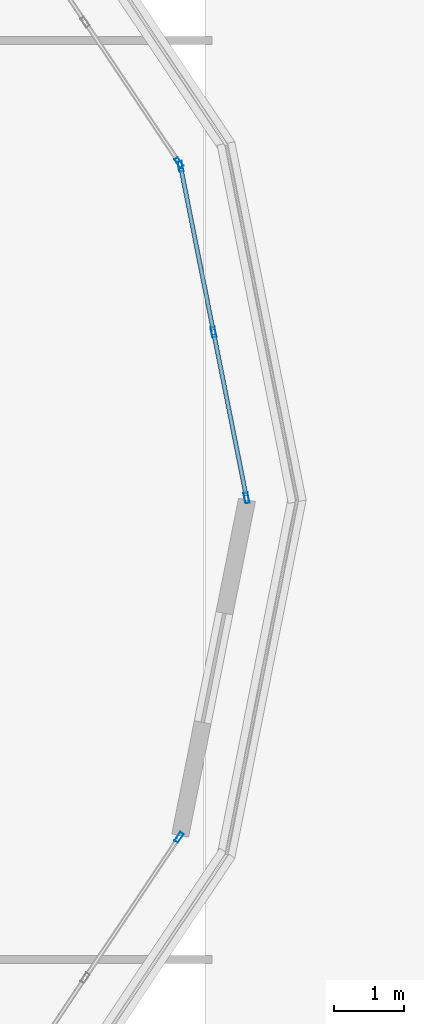
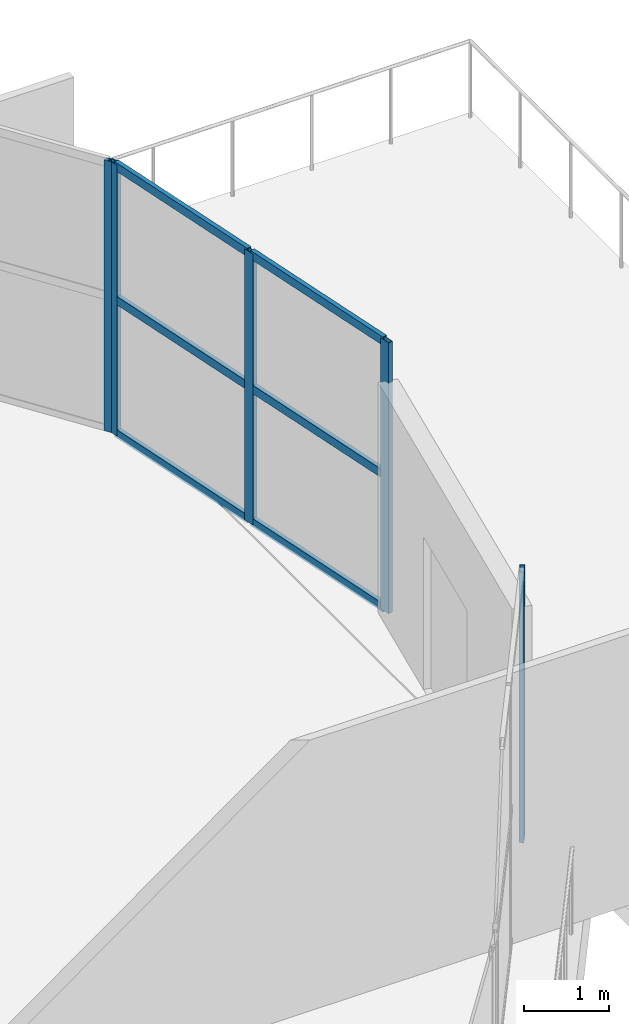
# One storey, part 30 of 50: 11 members, 3 elements without a shape of their own.
"""IFC4 building model written with IfcOpenShell, lengths in metres."""

from ifc_helpers import new_model, si_unit, direction, frame, origin, origin_2d, place, context, subcontext, project, spatial, hollow_rectangle, extrude, material, layer, layer_set, material_profile, profile_set, type_object, element, aggregate, save


model = new_model("IFC4")

# Units and contexts
model_context = context("Model", 3, precision=1e-05, world=origin(), true_north=direction((0.0, 1.0)))
body_context = subcontext(model_context, "Body", "Model", "MODEL_VIEW")
ifc_project = project(units=[si_unit("LENGTHUNIT", "METRE"), si_unit("AREAUNIT", "SQUARE_METRE"), si_unit("VOLUMEUNIT", "CUBIC_METRE"), si_unit("PLANEANGLEUNIT", "RADIAN"), si_unit("MASSUNIT", "GRAM", prefix="KILO")], contexts=[model_context])

# Site, building, storey
site_placement = place(None, origin())
site = spatial("IfcSite", under=ifc_project, at=site_placement, CompositionType="ELEMENT")
building_placement = place(site_placement, origin())
building = spatial("IfcBuilding", under=site, at=building_placement, Name="Zizhar Promenade General Hospital", CompositionType="ELEMENT")
storey_placement = place(building_placement, frame((0.0, 0.0, 30.60009765625)))
storey = spatial("IfcBuildingStorey", under=building, at=storey_placement, Name="L07", CompositionType="ELEMENT", Elevation=30.60009765625)

# Curtain wall, member
ifc_material_1 = material(Name="Anodised aluminium 6063-T6 and low-E glass", Category="aluminium")
ifc_layer = layer(ifc_material_1, 0.159912109375)
ifc_layer_set = layer_set([ifc_layer], Name="Anodised aluminium 6063-T6 and low-E glass")
curtain_wall_type = type_object("IfcCurtainWallType", Name="CW-WARD-ARC", PredefinedType="NOTDEFINED", material=ifc_layer_set)
curtain_wall_1_placement = place(storey_placement, origin())
curtain_wall_1 = element("IfcCurtainWall", 1, at=curtain_wall_1_placement, inside=storey, type_object=curtain_wall_type, Name="Ward Semicircular End Glazing L07-03", PredefinedType="NOTDEFINED")
ifc_material_2 = material(Name="Anodised aluminium 6063-T6", Category="aluminium")
ifc_material_profile_1 = material_profile(ifc_material_2, hollow_rectangle(XDim=0.06005859375, YDim=0.14990234375, WallThickness=0.00390625, at=origin_2d()))
ifc_profile_set_1 = profile_set([ifc_material_profile_1], Name="Anodised aluminium 6063-T6")
member_type_1 = type_object("IfcMemberType", Name="CWM-ALU-150x60", PredefinedType="MULLION", material=ifc_profile_set_1)
member_1_placement = place(storey_placement, frame((118.82421875, 7.753173828125, 0.0), z_axis=(0.0, 0.0, 1.0), x_axis=(0.831461514468, -0.555582352095, 0.0)))
member_1 = element("IfcMember", 2, at=member_1_placement, type_object=member_type_1, Name="CW-12 mullion 1", PredefinedType="MULLION", context=body_context, shape_type="SweptSolid", body=[
    extrude(hollow_rectangle(XDim=0.06005859375, YDim=0.14990234375, WallThickness=0.00390625, at=origin_2d()), origin(), (0.0, 0.0, 1.0), 3.89990234375),
])
aggregate(curtain_wall_1, [member_1])

# Curtain wall, members
curtain_wall_2_placement = place(storey_placement, origin())
curtain_wall_2 = element("IfcCurtainWall", 3, at=curtain_wall_2_placement, inside=storey, type_object=curtain_wall_type, Name="Ward Semicircular End Glazing L07-05", PredefinedType="NOTDEFINED")
member_2_placement = place(storey_placement, frame((118.8466796875, 17.392333984375, 0.0), z_axis=(0.0, 0.0, 1.0), x_axis=(0.980785889615, 0.195087259275, 0.0)))
member_2 = element("IfcMember", 4, at=member_2_placement, type_object=member_type_1, Name="CW-12 mullion 1", PredefinedType="MULLION", context=body_context, shape_type="SweptSolid", body=[
    extrude(hollow_rectangle(XDim=0.06005859375, YDim=0.14990234375, WallThickness=0.00390625, at=origin_2d()), origin(), (0.0, 0.0, 1.0), 3.89990234375),
])
member_3_placement = place(storey_placement, frame((119.320556640625, 15.010986328125, 0.0), z_axis=(0.0, 0.0, 1.0), x_axis=(0.980785889615, 0.195087259275, 0.0)))
member_3 = element("IfcMember", 5, at=member_3_placement, type_object=member_type_1, Name="CW-12 mullion 2", PredefinedType="MULLION", context=body_context, shape_type="SweptSolid", body=[
    extrude(hollow_rectangle(XDim=0.06005859375, YDim=0.14990234375, WallThickness=0.00390625, at=origin_2d()), origin(), (0.0, 0.0, 1.0), 3.89990234375),
])
member_4_placement = place(storey_placement, frame((119.794189453125, 12.62939453125, 0.0), z_axis=(0.0, 0.0, 1.0), x_axis=(0.980785889615, 0.195087259275, 0.0)))
member_4 = element("IfcMember", 6, at=member_4_placement, type_object=member_type_1, Name="CW-12 mullion 3", PredefinedType="MULLION", context=body_context, shape_type="SweptSolid", body=[
    extrude(hollow_rectangle(XDim=0.06005859375, YDim=0.14990234375, WallThickness=0.00390625, at=origin_2d()), origin(), (0.0, 0.0, 1.0), 3.89990234375),
])

# Curtain wall, member
curtain_wall_3_placement = place(storey_placement, origin())
curtain_wall_3 = element("IfcCurtainWall", 7, at=curtain_wall_3_placement, inside=storey, type_object=curtain_wall_type, Name="Ward Semicircular End Glazing L07-06", PredefinedType="NOTDEFINED")
member_5_placement = place(storey_placement, frame((118.82421875, 17.44677734375, 0.0), z_axis=(0.0, 0.0, 1.0), x_axis=(0.831461514468, 0.555582352095, 0.0)))
member_5 = element("IfcMember", 8, at=member_5_placement, type_object=member_type_1, Name="CW-12 mullion 3", PredefinedType="MULLION", context=body_context, shape_type="SweptSolid", body=[
    extrude(hollow_rectangle(XDim=0.06005859375, YDim=0.14990234375, WallThickness=0.00390625, at=origin_2d()), origin(), (0.0, 0.0, 1.0), 3.89990234375),
])
aggregate(curtain_wall_3, [member_5])

# Member
ifc_material_3 = material(Name="Anodised aluminium 6063-T6", Category="aluminium")
ifc_material_profile_2 = material_profile(ifc_material_3, hollow_rectangle(XDim=0.06005859375, YDim=0.1201171875, WallThickness=0.00390625, at=origin_2d()))
ifc_profile_set_2 = profile_set([ifc_material_profile_2], Name="Anodised aluminium 6063-T6")
member_type_2 = type_object("IfcMemberType", Name="CWT-ALU-120x60", PredefinedType="USERDEFINED", material=ifc_profile_set_2)
member_6_placement = place(storey_placement, frame((118.8525390625, 17.363037109375, 0.02978515625), z_axis=(0.195144637465, -0.980774474825, 0.0), x_axis=(0.980774474825, 0.195144637465, 0.0)))
member_6 = element("IfcMember", 9, at=member_6_placement, type_object=member_type_2, Name="CW-12 transom 1.1", ObjectType="TRANSOM", PredefinedType="USERDEFINED", context=body_context, shape_type="SweptSolid", body=[
    extrude(hollow_rectangle(XDim=0.06005859375, YDim=0.1201171875, WallThickness=0.00390625, at=origin_2d()), origin(), (0.0, 0.0, 1.0), 2.3681640625),
])

member_7_placement = place(storey_placement, frame((118.8525390625, 17.363037109375, 1.949951171875), z_axis=(0.195144637465, -0.980774474825, 0.0), x_axis=(0.980774474825, 0.195144637465, 0.0)))
member_7 = element("IfcMember", 10, at=member_7_placement, type_object=member_type_2, Name="CW-12 transom 1.2", ObjectType="TRANSOM", PredefinedType="USERDEFINED", context=body_context, shape_type="SweptSolid", body=[
    extrude(hollow_rectangle(XDim=0.06005859375, YDim=0.1201171875, WallThickness=0.00390625, at=origin_2d()), origin(), (0.0, 0.0, 1.0), 2.3681640625),
])

member_8_placement = place(storey_placement, frame((118.8525390625, 17.363037109375, 3.869873046875), z_axis=(0.195144637465, -0.980774474825, 0.0), x_axis=(0.980774474825, 0.195144637465, 0.0)))
member_8 = element("IfcMember", 11, at=member_8_placement, type_object=member_type_2, Name="CW-12 transom 1.3", ObjectType="TRANSOM", PredefinedType="USERDEFINED", context=body_context, shape_type="SweptSolid", body=[
    extrude(hollow_rectangle(XDim=0.06005859375, YDim=0.1201171875, WallThickness=0.00390625, at=origin_2d()), origin(), (0.0, 0.0, 1.0), 2.3681640625),
])

member_9_placement = place(storey_placement, frame((119.326416015625, 14.9814453125, 0.02978515625), z_axis=(0.195065195628, -0.980790278018, 0.0), x_axis=(0.980790278018, 0.195065195628, 0.0)))
member_9 = element("IfcMember", 12, at=member_9_placement, type_object=member_type_2, Name="CW-12 transom 2.1", ObjectType="TRANSOM", PredefinedType="USERDEFINED", context=body_context, shape_type="SweptSolid", body=[
    extrude(hollow_rectangle(XDim=0.06005859375, YDim=0.1201171875, WallThickness=0.00390625, at=origin_2d()), origin(), (0.0, 0.0, 1.0), 2.367919921875),
])

member_10_placement = place(storey_placement, frame((119.326416015625, 14.9814453125, 1.949951171875), z_axis=(0.195065195628, -0.980790278018, 0.0), x_axis=(0.980790278018, 0.195065195628, 0.0)))
member_10 = element("IfcMember", 13, at=member_10_placement, type_object=member_type_2, Name="CW-12 transom 2.2", ObjectType="TRANSOM", PredefinedType="USERDEFINED", context=body_context, shape_type="SweptSolid", body=[
    extrude(hollow_rectangle(XDim=0.06005859375, YDim=0.1201171875, WallThickness=0.00390625, at=origin_2d()), origin(), (0.0, 0.0, 1.0), 2.367919921875),
])

member_11_placement = place(storey_placement, frame((119.326416015625, 14.9814453125, 3.869873046875), z_axis=(0.195065195628, -0.980790278018, 0.0), x_axis=(0.980790278018, 0.195065195628, 0.0)))
member_11 = element("IfcMember", 14, at=member_11_placement, type_object=member_type_2, Name="CW-12 transom 2.3", ObjectType="TRANSOM", PredefinedType="USERDEFINED", context=body_context, shape_type="SweptSolid", body=[
    extrude(hollow_rectangle(XDim=0.06005859375, YDim=0.1201171875, WallThickness=0.00390625, at=origin_2d()), origin(), (0.0, 0.0, 1.0), 2.367919921875),
])

aggregate(curtain_wall_2, [member_2, member_3, member_4, member_6, member_7, member_8, member_9, member_10, member_11])

save(model, "model.ifc")
